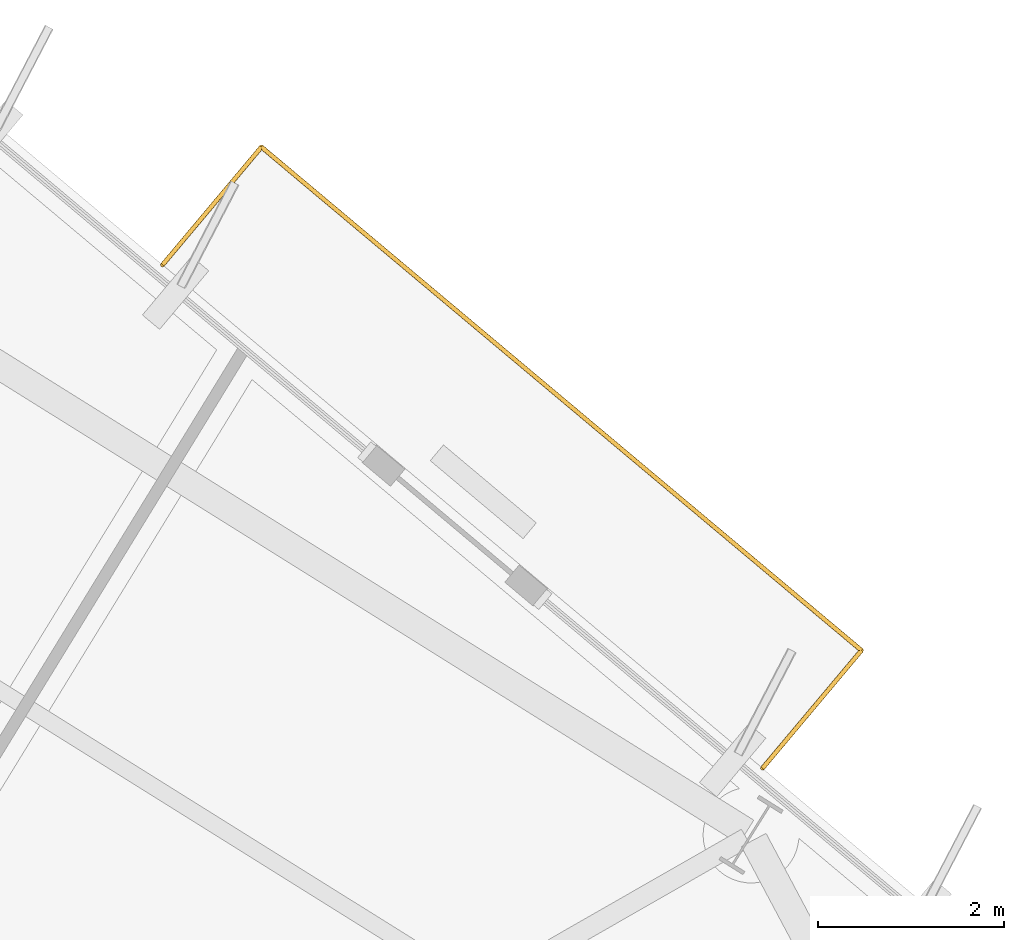
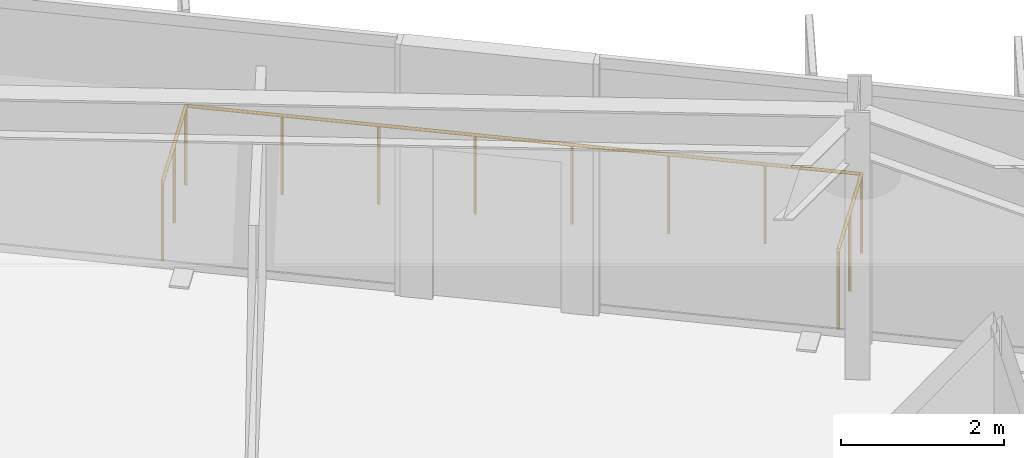
# One storey, part 13 of 13: 1 railing.
"""IFC4 building model written with IfcOpenShell, lengths in metres."""

import ifcopenshell
import ifcopenshell.guid

model = None  # the IFC model being written
_history = None  # IfcOwnerHistory: only IFC2X3 demands one
_inside = {}  # id of a spatial element -> (the spatial element, [elements in it])
_under = {}  # id of a project, library or spatial element -> (it, [spatial elements below it])
_declared = {}  # id of a project -> (the project, [libraries it declares])
_typed = {}  # id of a type object -> (the type object, [elements of that type])
_made_of = {}  # id of a material, layer set ... -> (it, [elements and type objects made of it])


def new_model(schema):
    """Start an empty IFC model of exactly this schema.

    Asked for "IFC4X3", IfcOpenShell would pick the latest addendum, in which some entities
    have other attributes; the version numbers below select the first issue.
    IFC2X3 requires an IfcOwnerHistory on every rooted entity: one is made here for all.
    """
    global model, _history
    if schema == "IFC4X3":
        model = ifcopenshell.file(schema_version=(4, 3, 0, 0))
    else:
        model = ifcopenshell.file(schema=schema)
    _inside.clear()
    _under.clear()
    _declared.clear()
    _typed.clear()
    _made_of.clear()
    _history = None
    if model.schema == "IFC2X3":
        org = make("IfcOrganization", Name="unknown")
        user = make(
            "IfcPersonAndOrganization",
            ThePerson=make("IfcPerson", FamilyName="unknown"),
            TheOrganization=org,
        )
        app = make(
            "IfcApplication",
            ApplicationDeveloper=org,
            Version="unknown",
            ApplicationFullName="unknown",
            ApplicationIdentifier="unknown",
        )
        _history = make(
            "IfcOwnerHistory",
            OwningUser=user,
            OwningApplication=app,
            ChangeAction="ADDED",
            CreationDate=0,
        )
    return model


def make(cls, **values):
    """One entity of the class cls with the attributes given. An attribute that is None is left unset."""
    return model.create_entity(
        cls, **{name: value for name, value in values.items() if value is not None}
    )


def rooted(cls, **values):
    """An entity with a GlobalId (a new one), such as an element, a storey or a relation."""
    return make(cls, GlobalId=ifcopenshell.guid.new(), OwnerHistory=_history, **values)


def si_unit(unit_type, name, prefix=None):
    """IfcSIUnit, for example si_unit("LENGTHUNIT", "METRE", prefix="MILLI")."""
    return make("IfcSIUnit", UnitType=unit_type, Prefix=prefix, Name=name)


def assignment(units):
    """IfcUnitAssignment: the units of a project."""
    return None if units is None else make("IfcUnitAssignment", Units=units)


def point(xyz):
    """IfcCartesianPoint."""
    return None if xyz is None else make("IfcCartesianPoint", Coordinates=xyz)


def direction(xyz):
    """IfcDirection."""
    return None if xyz is None else make("IfcDirection", DirectionRatios=xyz)


def frame(location, z_axis=None, x_axis=None):
    """IfcAxis2Placement3D, a coordinate frame: its origin and axes. An axis left out is left unset."""
    return make(
        "IfcAxis2Placement3D",
        Location=point(location),
        Axis=direction(z_axis),
        RefDirection=direction(x_axis),
    )


def frame_2d(location, x_axis=None):
    """IfcAxis2Placement2D, a coordinate frame in the plane: its origin and x axis."""
    return make(
        "IfcAxis2Placement2D", Location=point(location), RefDirection=direction(x_axis)
    )


def origin():
    """The frame at (0, 0, 0) with its axes left unset."""
    return frame((0.0, 0.0, 0.0))


def origin_2d():
    """The frame at (0, 0) in the plane with its x axis left unset."""
    return frame_2d((0.0, 0.0))


def place(relative_to, where):
    """IfcLocalPlacement: puts the frame where relative to a parent placement (None: the world)."""
    return make(
        "IfcLocalPlacement", PlacementRelTo=relative_to, RelativePlacement=where
    )


def context(
    kind, dimensions, precision=None, world=None, true_north=None, identifier=None
):
    """IfcGeometricRepresentationContext, for example the 3D "Model" context."""
    return make(
        "IfcGeometricRepresentationContext",
        ContextIdentifier=identifier,
        ContextType=kind,
        CoordinateSpaceDimension=dimensions,
        Precision=precision,
        WorldCoordinateSystem=world,
        TrueNorth=true_north,
    )


def subcontext(parent, identifier, kind, view, scale=None):
    """IfcGeometricRepresentationSubContext, for example "Body" below "Model"."""
    return make(
        "IfcGeometricRepresentationSubContext",
        ContextIdentifier=identifier,
        ContextType=kind,
        ParentContext=parent,
        TargetScale=scale,
        TargetView=view,
    )


def project(units=None, contexts=None):
    """IfcProject with its units and contexts."""
    return rooted(
        "IfcProject",
        Name="project",
        RepresentationContexts=contexts,
        UnitsInContext=assignment(units),
    )


def spatial(cls, under=None, at=None, **own):
    """A site, building, storey or space (cls), placed at a placement, below another one or the project."""
    s = rooted(cls, ObjectPlacement=at, **own)
    if under is not None:
        _under.setdefault(under.id(), (under, []))[1].append(s)
    return s


def profile(cls, at=None, kind="AREA", **sizes):
    """A parametric profile (cls). Its sizes go by their IFC names, for example OverallWidth=200.0."""
    return make(cls, ProfileType=kind, Position=at, **sizes)


def circle(**sizes):
    """IfcCircleProfileDef."""
    return profile("IfcCircleProfileDef", **sizes)


def extrude(swept, where, along, depth):
    """IfcExtrudedAreaSolid: the profile swept, set in the frame where, extruded along a direction by depth."""
    return make(
        "IfcExtrudedAreaSolid",
        SweptArea=swept,
        Position=where,
        ExtrudedDirection=direction(along),
        Depth=depth,
    )


def shape(context_of_items, identifier, shape_type, items):
    """IfcShapeRepresentation: the items that make up one representation, for example the "Body"."""
    return make(
        "IfcShapeRepresentation",
        ContextOfItems=context_of_items,
        RepresentationIdentifier=identifier,
        RepresentationType=shape_type,
        Items=items,
    )


def material(Name=None, Category=None):
    """IfcMaterial."""
    return make("IfcMaterial", Name=Name, Category=Category)


def made_of(thing, what):
    """Note that an element or type object is made of a material, layer set ...; save() writes the relation."""
    if what is not None:
        _made_of.setdefault(what.id(), (what, []))[1].append(thing)
    return thing


def type_object(cls, material=None, **own):
    """A type object (cls), such as IfcWallType, which elements share."""
    return made_of(rooted(cls, **own), material)


def element(
    cls,
    number,
    at=None,
    inside=None,
    cuts=None,
    type_object=None,
    material=None,
    context=None,
    identifier="Body",
    shape_type=None,
    held_by="IfcProductDefinitionShape",
    body=None,
    shapes=None,
    **own,
):
    """One element of the class cls, such as IfcWall. Its Tag is "e" and its number.

    at: its placement. inside: the storey or other place that contains it. cuts: it is an
    opening in that element (IfcRelVoidsElement). A single representation is given by context,
    identifier, shape_type and body (its items); several are given by shapes. held_by: the class
    of the entity that holds the representations. save() writes the other relations.
    """
    e = rooted(cls, Tag="e%d" % number, ObjectPlacement=at, **own)
    if body is not None:
        shapes = [shape(context, identifier, shape_type, body)]
    if shapes is not None:
        e.Representation = make(held_by, Representations=shapes)
    if inside is not None:
        _inside.setdefault(inside.id(), (inside, []))[1].append(e)
    if cuts is not None:
        rooted(
            "IfcRelVoidsElement", RelatingBuildingElement=cuts, RelatedOpeningElement=e
        )
    if type_object is not None:
        _typed.setdefault(type_object.id(), (type_object, []))[1].append(e)
    return made_of(e, material)


def aggregate(whole, parts):
    """IfcRelAggregates: a whole, such as a stair, and the parts it consists of."""
    return rooted("IfcRelAggregates", RelatingObject=whole, RelatedObjects=parts)


def save(model, path):
    """Write the relations noted so far, then the file.

    IfcRelAggregates (storeys below a building ...), IfcRelContainedInSpatialStructure (elements
    in a storey), IfcRelDefinesByType, IfcRelAssociatesMaterial and IfcRelDeclares: one each for
    every whole, place, type object, material and project.
    """
    for whole, parts in _under.values():
        aggregate(whole, parts)
    for where, things in _inside.values():
        rooted(
            "IfcRelContainedInSpatialStructure",
            RelatedElements=things,
            RelatingStructure=where,
        )
    for kind, things in _typed.values():
        rooted("IfcRelDefinesByType", RelatedObjects=things, RelatingType=kind)
    for what, things in _made_of.values():
        rooted("IfcRelAssociatesMaterial", RelatedObjects=things, RelatingMaterial=what)
    for by, libraries in _declared.values():
        rooted("IfcRelDeclares", RelatingContext=by, RelatedDefinitions=libraries)
    model.write(path)


model = new_model("IFC4")

# Units and contexts
model_context = context("Model", 3, precision=1e-05, world=origin(), true_north=direction((0.0, 1.0)))
body_context = subcontext(model_context, "Body", "Model", "MODEL_VIEW")
ifc_project = project(units=[si_unit("LENGTHUNIT", "METRE"), si_unit("AREAUNIT", "SQUARE_METRE"), si_unit("VOLUMEUNIT", "CUBIC_METRE"), si_unit("PLANEANGLEUNIT", "RADIAN"), si_unit("MASSUNIT", "GRAM", prefix="KILO")], contexts=[model_context])

# Site, building, storey
site_placement = place(None, origin())
site = spatial("IfcSite", under=ifc_project, at=site_placement, CompositionType="ELEMENT")
building_placement = place(site_placement, origin())
building = spatial("IfcBuilding", under=site, at=building_placement, Name="Kranzbogen Civic Tower", CompositionType="ELEMENT")
storey_placement = place(building_placement, frame((0.0, 0.0, 102.39990234375)))
storey = spatial("IfcBuildingStorey", under=building, at=storey_placement, Name="L24", CompositionType="ELEMENT", Elevation=102.39990234375)

# Railing
ifc_material = material(Name="Anodised Bronze Aluminium", Category="aluminium")
railing_type = type_object("IfcRailingType", Name="Cantilevered Balcony Glass and Bronze Balustrade 1200", PredefinedType="BALUSTRADE", material=ifc_material)
railing_placement = place(storey_placement, frame((41.009033203125, 37.544921875, 0.0)))
element("IfcRailing", 1, at=railing_placement, inside=storey, type_object=railing_type, Name="L24 exterior terrace balustrade L24-ST", PredefinedType="BALUSTRADE", context=body_context, shape_type="SweptSolid", body=[
    extrude(circle(Radius=0.02392578125, at=origin_2d()), frame((0.0, 0.0, 1.17578125), z_axis=(0.642886746954, 0.765961246141, 0.0), x_axis=(-0.765961246141, 0.642886746954, 0.0)), (0.0, 0.0, 1.0), 1.650390625),
    extrude(circle(Radius=0.02392578125, at=origin_2d()), frame((1.06103515625, 1.26416015625, 1.17578125), z_axis=(-0.766087205513, 0.642736644006, 0.0), x_axis=(-0.642736644006, -0.766087205513, 0.0)), (0.0, 0.0, 1.0), 8.39990234375),
    extrude(circle(Radius=0.02392578125, at=origin_2d()), frame((-5.3740234375, 6.6630859375, 1.17578125), z_axis=(-0.642959594998, -0.765900097401, 0.0), x_axis=(0.765900097401, -0.642959594998, 0.0)), (0.0, 0.0, 1.0), 1.650146484375),
    extrude(circle(Radius=0.02099609375, at=origin_2d()), origin(), (0.0, 0.0, 1.0), 1.15185546875),
    extrude(circle(Radius=0.02099609375, at=origin_2d()), frame((0.530517578125, 0.632080078125, 0.0)), (0.0, 0.0, 1.0), 1.15185546875),
    extrude(circle(Radius=0.02099609375, at=origin_2d()), frame((1.06103515625, 1.26416015625, 0.0)), (0.0, 0.0, 1.0), 1.15185546875),
    extrude(circle(Radius=0.02099609375, at=origin_2d()), frame((0.141845703125, 2.035400390625, 0.0)), (0.0, 0.0, 1.0), 1.15185546875),
    extrude(circle(Radius=0.02099609375, at=origin_2d()), frame((-0.777587890625, 2.806640625, 0.0)), (0.0, 0.0, 1.0), 1.15185546875),
    extrude(circle(Radius=0.02099609375, at=origin_2d()), frame((-1.69677734375, 3.577880859375, 0.0)), (0.0, 0.0, 1.0), 1.15185546875),
    extrude(circle(Radius=0.02099609375, at=origin_2d()), frame((-2.6162109375, 4.349365234375, 0.0)), (0.0, 0.0, 1.0), 1.15185546875),
    extrude(circle(Radius=0.02099609375, at=origin_2d()), frame((-3.535400390625, 5.12060546875, 0.0)), (0.0, 0.0, 1.0), 1.15185546875),
    extrude(circle(Radius=0.02099609375, at=origin_2d()), frame((-4.454833984375, 5.891845703125, 0.0)), (0.0, 0.0, 1.0), 1.15185546875),
    extrude(circle(Radius=0.02099609375, at=origin_2d()), frame((-5.3740234375, 6.6630859375, 0.0)), (0.0, 0.0, 1.0), 1.15185546875),
    extrude(circle(Radius=0.02099609375, at=origin_2d()), frame((-5.904541015625, 6.03125, 0.0)), (0.0, 0.0, 1.0), 1.15185546875),
    extrude(circle(Radius=0.02099609375, at=origin_2d()), frame((-6.43505859375, 5.399169921875, 0.0)), (0.0, 0.0, 1.0), 1.15185546875),
])

save(model, "model.ifc")
